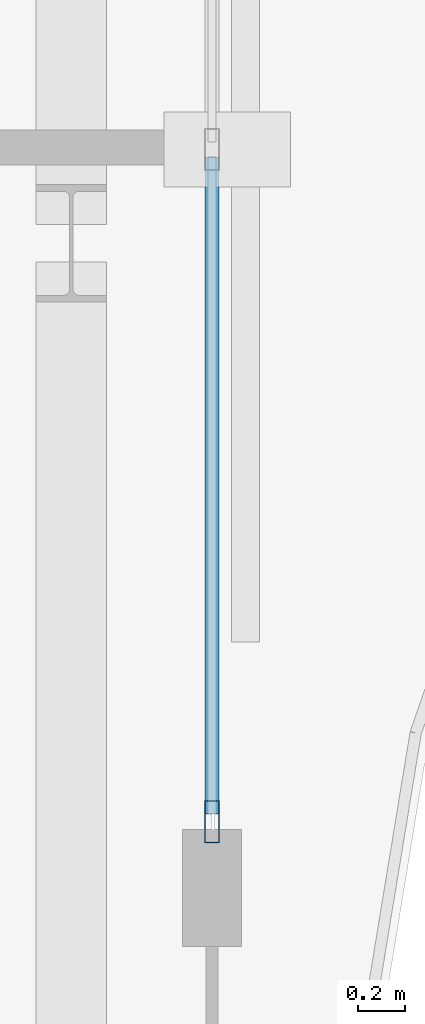
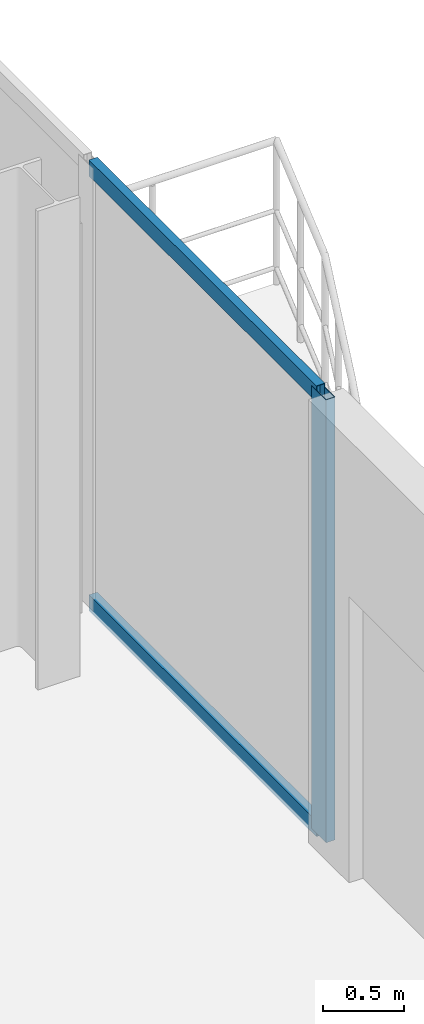
# One storey, part 14 of 23: 3 members, 1 element without a shape of its own.
"""IFC4 building model written with IfcOpenShell, lengths in metres."""

from ifc_helpers import new_model, si_unit, direction, frame, origin, origin_2d, place, context, subcontext, project, spatial, hollow_rectangle, extrude, material, layer, layer_set, material_profile, profile_set, type_object, element, aggregate, save


model = new_model("IFC4")

# Units and contexts
model_context = context("Model", 3, precision=1e-05, world=origin(), true_north=direction((0.0, 1.0)))
body_context = subcontext(model_context, "Body", "Model", "MODEL_VIEW")
ifc_project = project(units=[si_unit("LENGTHUNIT", "METRE"), si_unit("AREAUNIT", "SQUARE_METRE"), si_unit("VOLUMEUNIT", "CUBIC_METRE"), si_unit("PLANEANGLEUNIT", "RADIAN"), si_unit("MASSUNIT", "GRAM", prefix="KILO")], contexts=[model_context])

# Site, building, storey
site_placement = place(None, origin())
site = spatial("IfcSite", under=ifc_project, at=site_placement, CompositionType="ELEMENT")
building_placement = place(site_placement, origin())
building = spatial("IfcBuilding", under=site, at=building_placement, Name="Catumbela Crestline Tower", CompositionType="ELEMENT")
storey_placement = place(building_placement, frame((0.0, 0.0, 165.0)))
storey = spatial("IfcBuildingStorey", under=building, at=storey_placement, Name="L42", CompositionType="ELEMENT", Elevation=165.0)

# Curtain wall, members
ifc_material = material(Name="Aluminium alloy AW-6060-T66", Category="aluminium")
ifc_layer = layer(ifc_material, 0.18, Name="Aluminium alloy AW-6060-T66")
ifc_layer_set = layer_set([ifc_layer], Name="Aluminium alloy AW-6060-T66")
curtain_wall_type = type_object("IfcCurtainWallType", Name="CWU-Z3", PredefinedType="USERDEFINED", material=ifc_layer_set)
curtain_wall_placement = place(storey_placement, origin())
curtain_wall = element("IfcCurtainWall", 1, at=curtain_wall_placement, inside=storey, type_object=curtain_wall_type, Name="L42 Unitised Curtain Wall CW-L42-E5S2", ObjectType="UNITISED", PredefinedType="USERDEFINED")
ifc_material_profile_1 = material_profile(ifc_material, hollow_rectangle(XDim=0.065, YDim=0.18, WallThickness=0.004, at=origin_2d()), Name="ALU 180x65x4")
ifc_profile_set_1 = profile_set([ifc_material_profile_1], Name="Aluminium alloy AW-6060-T66")
member_type_1 = type_object("IfcMemberType", Name="MUL-180X65", PredefinedType="MULLION", material=ifc_profile_set_1)
member_1_placement = place(storey_placement, frame((51.0, 33.7325, 0.0), z_axis=(0.0, 0.0, 1.0), x_axis=(-1.0, 0.0, 0.0)))
member_1 = element("IfcMember", 2, at=member_1_placement, type_object=member_type_1, Name="CWU-Z3 mullion 1", PredefinedType="MULLION", context=body_context, shape_type="SweptSolid", body=[
    extrude(hollow_rectangle(XDim=0.065, YDim=0.18, WallThickness=0.004, at=origin_2d()), origin(), (0.0, 0.0, 1.0), 3.33),
])
ifc_material_profile_2 = material_profile(ifc_material, hollow_rectangle(XDim=0.06, YDim=0.12, WallThickness=0.0035, at=origin_2d()), Name="ALU 120x60x3.5")
ifc_profile_set_2 = profile_set([ifc_material_profile_2], Name="Aluminium alloy AW-6060-T66")
member_type_2 = type_object("IfcMemberType", Name="TRN-120X60", PredefinedType="USERDEFINED", material=ifc_profile_set_2)
member_2_placement = place(storey_placement, frame((51.0, 33.765, 0.03), z_axis=(0.0, 1.0, 0.0), x_axis=(-1.0, 0.0, 0.0)))
member_2 = element("IfcMember", 3, at=member_2_placement, type_object=member_type_2, Name="CWU-Z3 transom 1.1", ObjectType="TRANSOM", PredefinedType="USERDEFINED", context=body_context, shape_type="SweptSolid", body=[
    extrude(hollow_rectangle(XDim=0.06, YDim=0.12, WallThickness=0.0035, at=origin_2d()), origin(), (0.0, 0.0, 1.0), 2.8025),
])
member_3_placement = place(storey_placement, frame((51.0, 33.765, 3.3), z_axis=(0.0, 1.0, 0.0), x_axis=(-1.0, 0.0, 0.0)))
member_3 = element("IfcMember", 4, at=member_3_placement, type_object=member_type_2, Name="CWU-Z3 transom 1.2", ObjectType="TRANSOM", PredefinedType="USERDEFINED", context=body_context, shape_type="SweptSolid", body=[
    extrude(hollow_rectangle(XDim=0.06, YDim=0.12, WallThickness=0.0035, at=origin_2d()), origin(), (0.0, 0.0, 1.0), 2.8025),
])
aggregate(curtain_wall, [member_1, member_2, member_3])

save(model, "model.ifc")
